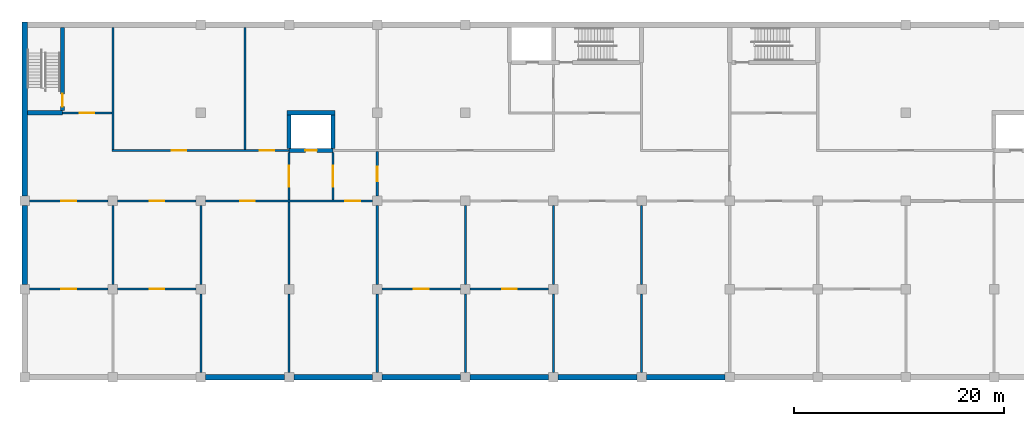
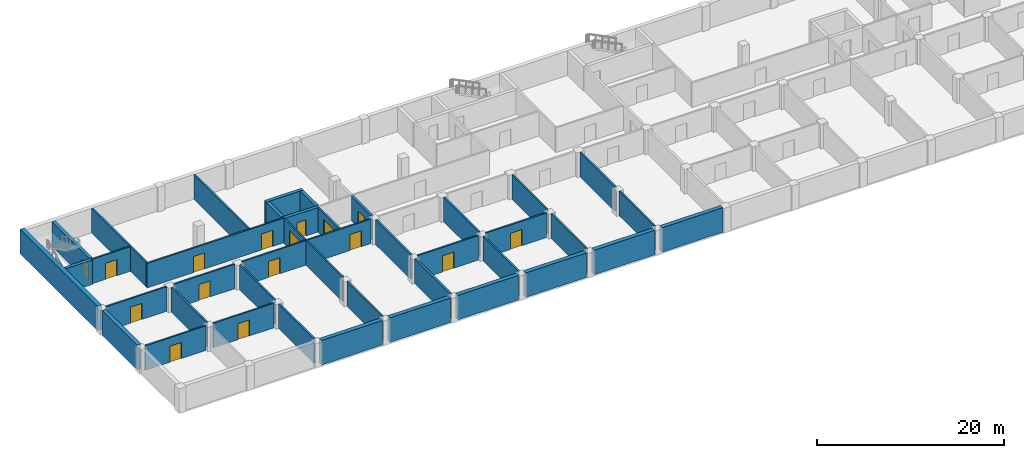
# One storey, part 2 of 12: 41 walls, 16 doors, 16 openings.
"""IFC4 building model written with IfcOpenShell, lengths in metres."""

from ifc_helpers import new_model, si_unit, direction, frame, frame_2d, origin, place, context, subcontext, project, spatial, rectangle, extrude, material, layer, layer_set, type_object, element, fill, save


model = new_model("IFC4")

# Units and contexts
model_context = context("Model", 3, precision=1e-05, world=origin(), true_north=direction((0.0, 1.0)))
body_context = subcontext(model_context, "Body", "Model", "MODEL_VIEW")
ifc_project = project(units=[si_unit("LENGTHUNIT", "METRE"), si_unit("AREAUNIT", "SQUARE_METRE"), si_unit("VOLUMEUNIT", "CUBIC_METRE"), si_unit("PLANEANGLEUNIT", "RADIAN"), si_unit("MASSUNIT", "GRAM", prefix="KILO")], contexts=[model_context])

# Site, building, storey
site_placement = place(None, origin())
site = spatial("IfcSite", under=ifc_project, at=site_placement, CompositionType="ELEMENT")
building_placement = place(site_placement, origin())
building = spatial("IfcBuilding", under=site, at=building_placement, Name="Yavir Park General Hospital", CompositionType="ELEMENT")
storey_placement = place(building_placement, frame((0.0, 0.0, -11.39990234375)))
storey = spatial("IfcBuildingStorey", under=building, at=storey_placement, Name="B3", CompositionType="ELEMENT", Elevation=-11.39990234375)

# Walls
ifc_material_1 = material(Name="Concrete C30/37", Category="concrete")
ifc_layer_1 = layer(ifc_material_1, 0.25)
ifc_layer_set_1 = layer_set([ifc_layer_1], Name="Concrete C30/37")
wall_type_1 = type_object("IfcWallType", Name="Compartment fire wall 250, REI 150", PredefinedType="SOLIDWALL", material=ifc_layer_set_1)
for number, where, z_axis, x_axis, name in (
    (1, (33.60009765625, 0.449951171875, 0.0), (0.0, 0.0, 1.0), (0.0, 1.0, 0.0), "FW25 B3-068"),
    (2, (33.60009765625, 8.85009765625, 0.0), (0.0, 0.0, 1.0), (0.0, 1.0, 0.0), "FW25 B3-069"),
):
    element("IfcWall", number, at=place(storey_placement, frame(where, z_axis=z_axis, x_axis=x_axis)), inside=storey, type_object=wall_type_1, Name=name, PredefinedType="SOLIDWALL", context=body_context, shape_type="SweptSolid", body=[
        extrude(rectangle(XDim=7.5, YDim=0.25, at=frame_2d((3.75, 0.0))), origin(), (0.0, 0.0, 1.0), 3.199951171875),
    ])

# Wall, opening, door
wall_1_placement = place(storey_placement, frame((33.60009765625, 17.25, 0.0), z_axis=(0.0, 0.0, 1.0), x_axis=(0.0, 1.0, 0.0)))
wall_1 = element("IfcWall", 3, at=wall_1_placement, inside=storey, type_object=wall_type_1, Name="FW25 B3-070", PredefinedType="SOLIDWALL", context=body_context, shape_type="SweptSolid", body=[
    extrude(rectangle(XDim=4.25, YDim=0.25, at=frame_2d((2.125, 0.0))), origin(), (0.0, 0.0, 1.0), 3.199951171875),
])
opening_1_placement = place(wall_1_placement, frame((1.425048828125, 0.0, 0.0)))
opening_1 = element("IfcOpeningElement", 4, at=opening_1_placement, cuts=wall_1, Name="Opening B3.D059", PredefinedType="OPENING", context=body_context, shape_type="SweptSolid", body=[
    extrude(rectangle(XDim=1.39990234375, YDim=2.10009765625, at=frame_2d((0.699951171875, 1.050048828125))), frame((0.0, 0.135009765625, 0.0), z_axis=(0.0, -1.0, 0.0), x_axis=(1.0, 0.0, 0.0)), (0.0, 0.0, 1.0), 0.27001953125),
])
ifc_material_2 = material(Name="Steel frame, fire-resisting leaves with vision panels", Category="steel")
door_type_1 = type_object("IfcDoorType", Name="Double fire door with vision panels 1400 x 2100, EI 60", OperationType="DOUBLE_DOOR_SINGLE_SWING", PredefinedType="DOOR", material=ifc_material_2)
door_1_placement = place(opening_1_placement, origin())
door_1 = element("IfcDoor", 5, at=door_1_placement, inside=storey, type_object=door_type_1, Name="B3.D059", OperationType="SINGLE_SWING_LEFT", OverallHeight=2.10009765625, OverallWidth=1.39990234375, PredefinedType="DOOR", context=body_context, shape_type="SweptSolid", body=[
    extrude(rectangle(XDim=1.39990234375, YDim=2.10009765625, at=frame_2d((0.699951171875, 1.050048828125))), frame((0.0, 0.030029296875, 0.0), z_axis=(0.0, -1.0, 0.0), x_axis=(1.0, 0.0, 0.0)), (0.0, 0.0, 1.0), 0.06005859375),
])
fill(opening_1, door_1)

ifc_material_3 = material(Name="Double gypsum board fire partition on steel studs", Category="steel")
ifc_layer_2 = layer(ifc_material_3, 0.199951171875)
ifc_layer_set_2 = layer_set([ifc_layer_2], Name="Double gypsum board fire partition on steel studs")
wall_type_2 = type_object("IfcWallType", Name="Fire-rated partition 200, EI 60", PredefinedType="PARTITIONING", material=ifc_layer_set_2)
wall_2_placement = place(storey_placement, frame((0.449951171875, 8.39990234375, 0.0), z_axis=(0.0, 0.0, 1.0), x_axis=(1.0, 0.0, 0.0)))
wall_2 = element("IfcWall", 6, at=wall_2_placement, inside=storey, type_object=wall_type_2, Name="FP20 B3-001", PredefinedType="PARTITIONING", context=body_context, shape_type="SweptSolid", body=[
    extrude(rectangle(XDim=7.5, YDim=0.199951171875, at=frame_2d((3.75, 0.0))), origin(), (0.0, 0.0, 1.0), 3.199951171875),
])
opening_2_placement = place(wall_2_placement, frame((3.050048828125, 0.0, 0.0)))
opening_2 = element("IfcOpeningElement", 7, at=opening_2_placement, cuts=wall_2, Name="Opening B3.D001", PredefinedType="OPENING", context=body_context, shape_type="SweptSolid", body=[
    extrude(rectangle(XDim=1.39990234375, YDim=2.10009765625, at=frame_2d((0.699951171875, 1.050048828125))), frame((0.0, 0.10986328125, 0.0), z_axis=(0.0, -1.0, 0.0), x_axis=(1.0, 0.0, 0.0)), (0.0, 0.0, 1.0), 0.219970703125),
])
ifc_material_4 = material(Name="Steel frame, fire-resisting timber leaves", Category="steel")
door_type_2 = type_object("IfcDoorType", Name="Double fire door 1400 x 2100, EI 60", OperationType="DOUBLE_DOOR_SINGLE_SWING", PredefinedType="DOOR", material=ifc_material_4)
door_2_placement = place(opening_2_placement, origin())
door_2 = element("IfcDoor", 8, at=door_2_placement, inside=storey, type_object=door_type_2, Name="B3.D001", OperationType="SINGLE_SWING_LEFT", OverallHeight=2.10009765625, OverallWidth=1.39990234375, PredefinedType="DOOR", context=body_context, shape_type="SweptSolid", body=[
    extrude(rectangle(XDim=1.39990234375, YDim=2.10009765625, at=frame_2d((0.699951171875, 1.050048828125))), frame((0.0, 0.02490234375, 0.0), z_axis=(0.0, -1.0, 0.0), x_axis=(1.0, 0.0, 0.0)), (0.0, 0.0, 1.0), 0.050048828125),
])
fill(opening_2, door_2)

wall_3_placement = place(storey_placement, frame((8.85009765625, 8.39990234375, 0.0), z_axis=(0.0, 0.0, 1.0), x_axis=(1.0, 0.0, 0.0)))
wall_3 = element("IfcWall", 9, at=wall_3_placement, inside=storey, type_object=wall_type_2, Name="FP20 B3-002", PredefinedType="PARTITIONING", context=body_context, shape_type="SweptSolid", body=[
    extrude(rectangle(XDim=7.5, YDim=0.199951171875, at=frame_2d((3.75, 0.0))), origin(), (0.0, 0.0, 1.0), 3.199951171875),
])
opening_3_placement = place(wall_3_placement, frame((3.050048828125, 0.0, 0.0)))
opening_3 = element("IfcOpeningElement", 10, at=opening_3_placement, cuts=wall_3, Name="Opening B3.D002", PredefinedType="OPENING", context=body_context, shape_type="SweptSolid", body=[
    extrude(rectangle(XDim=1.39990234375, YDim=2.10009765625, at=frame_2d((0.699951171875, 1.050048828125))), frame((0.0, 0.10986328125, 0.0), z_axis=(0.0, -1.0, 0.0), x_axis=(1.0, 0.0, 0.0)), (0.0, 0.0, 1.0), 0.219970703125),
])
door_3_placement = place(opening_3_placement, origin())
door_3 = element("IfcDoor", 11, at=door_3_placement, inside=storey, type_object=door_type_2, Name="B3.D002", OperationType="SINGLE_SWING_LEFT", OverallHeight=2.10009765625, OverallWidth=1.39990234375, PredefinedType="DOOR", context=body_context, shape_type="SweptSolid", body=[
    extrude(rectangle(XDim=1.39990234375, YDim=2.10009765625, at=frame_2d((0.699951171875, 1.050048828125))), frame((0.0, 0.02490234375, 0.0), z_axis=(0.0, -1.0, 0.0), x_axis=(1.0, 0.0, 0.0)), (0.0, 0.0, 1.0), 0.050048828125),
])
fill(opening_3, door_3)

wall_4_placement = place(storey_placement, frame((34.050048828125, 8.39990234375, 0.0), z_axis=(0.0, 0.0, 1.0), x_axis=(1.0, 0.0, 0.0)))
wall_4 = element("IfcWall", 12, at=wall_4_placement, inside=storey, type_object=wall_type_2, Name="FP20 B3-003", PredefinedType="PARTITIONING", context=body_context, shape_type="SweptSolid", body=[
    extrude(rectangle(XDim=7.5, YDim=0.199951171875, at=frame_2d((3.75, 0.0))), origin(), (0.0, 0.0, 1.0), 3.199951171875),
])
opening_4_placement = place(wall_4_placement, frame((3.050048828125, 0.0, 0.0)))
opening_4 = element("IfcOpeningElement", 13, at=opening_4_placement, cuts=wall_4, Name="Opening B3.D003", PredefinedType="OPENING", context=body_context, shape_type="SweptSolid", body=[
    extrude(rectangle(XDim=1.39990234375, YDim=2.10009765625, at=frame_2d((0.699951171875, 1.050048828125))), frame((0.0, 0.10986328125, 0.0), z_axis=(0.0, -1.0, 0.0), x_axis=(1.0, 0.0, 0.0)), (0.0, 0.0, 1.0), 0.219970703125),
])
door_4_placement = place(opening_4_placement, origin())
door_4 = element("IfcDoor", 14, at=door_4_placement, inside=storey, type_object=door_type_2, Name="B3.D003", OperationType="SINGLE_SWING_LEFT", OverallHeight=2.10009765625, OverallWidth=1.39990234375, PredefinedType="DOOR", context=body_context, shape_type="SweptSolid", body=[
    extrude(rectangle(XDim=1.39990234375, YDim=2.10009765625, at=frame_2d((0.699951171875, 1.050048828125))), frame((0.0, 0.02490234375, 0.0), z_axis=(0.0, -1.0, 0.0), x_axis=(1.0, 0.0, 0.0)), (0.0, 0.0, 1.0), 0.050048828125),
])
fill(opening_4, door_4)

wall_5_placement = place(storey_placement, frame((42.449951171875, 8.39990234375, 0.0), z_axis=(0.0, 0.0, 1.0), x_axis=(1.0, 0.0, 0.0)))
wall_5 = element("IfcWall", 15, at=wall_5_placement, inside=storey, type_object=wall_type_2, Name="FP20 B3-004", PredefinedType="PARTITIONING", context=body_context, shape_type="SweptSolid", body=[
    extrude(rectangle(XDim=7.5, YDim=0.199951171875, at=frame_2d((3.75, 0.0))), origin(), (0.0, 0.0, 1.0), 3.199951171875),
])
opening_5_placement = place(wall_5_placement, frame((3.050048828125, 0.0, 0.0)))
opening_5 = element("IfcOpeningElement", 16, at=opening_5_placement, cuts=wall_5, Name="Opening B3.D004", PredefinedType="OPENING", context=body_context, shape_type="SweptSolid", body=[
    extrude(rectangle(XDim=1.39990234375, YDim=2.10009765625, at=frame_2d((0.699951171875, 1.050048828125))), frame((0.0, 0.10986328125, 0.0), z_axis=(0.0, -1.0, 0.0), x_axis=(1.0, 0.0, 0.0)), (0.0, 0.0, 1.0), 0.219970703125),
])
door_5_placement = place(opening_5_placement, origin())
door_5 = element("IfcDoor", 17, at=door_5_placement, inside=storey, type_object=door_type_2, Name="B3.D004", OperationType="SINGLE_SWING_LEFT", OverallHeight=2.10009765625, OverallWidth=1.39990234375, PredefinedType="DOOR", context=body_context, shape_type="SweptSolid", body=[
    extrude(rectangle(XDim=1.39990234375, YDim=2.10009765625, at=frame_2d((0.699951171875, 1.050048828125))), frame((0.0, 0.02490234375, 0.0), z_axis=(0.0, -1.0, 0.0), x_axis=(1.0, 0.0, 0.0)), (0.0, 0.0, 1.0), 0.050048828125),
])
fill(opening_5, door_5)

wall_6_placement = place(storey_placement, frame((0.449951171875, 16.800048828125, 0.0), z_axis=(0.0, 0.0, 1.0), x_axis=(1.0, 0.0, 0.0)))
wall_6 = element("IfcWall", 18, at=wall_6_placement, inside=storey, type_object=wall_type_2, Name="FP20 B3-011", PredefinedType="PARTITIONING", context=body_context, shape_type="SweptSolid", body=[
    extrude(rectangle(XDim=7.5, YDim=0.199951171875, at=frame_2d((3.75, 0.0))), origin(), (0.0, 0.0, 1.0), 3.199951171875),
])
opening_6_placement = place(wall_6_placement, frame((3.050048828125, 0.0, 0.0)))
opening_6 = element("IfcOpeningElement", 19, at=opening_6_placement, cuts=wall_6, Name="Opening B3.D011", PredefinedType="OPENING", context=body_context, shape_type="SweptSolid", body=[
    extrude(rectangle(XDim=1.39990234375, YDim=2.10009765625, at=frame_2d((0.699951171875, 1.050048828125))), frame((0.0, 0.10986328125, 0.0), z_axis=(0.0, -1.0, 0.0), x_axis=(1.0, 0.0, 0.0)), (0.0, 0.0, 1.0), 0.219970703125),
])
door_6_placement = place(opening_6_placement, origin())
door_6 = element("IfcDoor", 20, at=door_6_placement, inside=storey, type_object=door_type_2, Name="B3.D011", OperationType="SINGLE_SWING_LEFT", OverallHeight=2.10009765625, OverallWidth=1.39990234375, PredefinedType="DOOR", context=body_context, shape_type="SweptSolid", body=[
    extrude(rectangle(XDim=1.39990234375, YDim=2.10009765625, at=frame_2d((0.699951171875, 1.050048828125))), frame((0.0, 0.02490234375, 0.0), z_axis=(0.0, -1.0, 0.0), x_axis=(1.0, 0.0, 0.0)), (0.0, 0.0, 1.0), 0.050048828125),
])
fill(opening_6, door_6)

wall_7_placement = place(storey_placement, frame((8.85009765625, 16.800048828125, 0.0), z_axis=(0.0, 0.0, 1.0), x_axis=(1.0, 0.0, 0.0)))
wall_7 = element("IfcWall", 21, at=wall_7_placement, inside=storey, type_object=wall_type_2, Name="FP20 B3-012", PredefinedType="PARTITIONING", context=body_context, shape_type="SweptSolid", body=[
    extrude(rectangle(XDim=7.5, YDim=0.199951171875, at=frame_2d((3.75, 0.0))), origin(), (0.0, 0.0, 1.0), 3.199951171875),
])
opening_7_placement = place(wall_7_placement, frame((3.050048828125, 0.0, 0.0)))
opening_7 = element("IfcOpeningElement", 22, at=opening_7_placement, cuts=wall_7, Name="Opening B3.D012", PredefinedType="OPENING", context=body_context, shape_type="SweptSolid", body=[
    extrude(rectangle(XDim=1.39990234375, YDim=2.10009765625, at=frame_2d((0.699951171875, 1.050048828125))), frame((0.0, 0.10986328125, 0.0), z_axis=(0.0, -1.0, 0.0), x_axis=(1.0, 0.0, 0.0)), (0.0, 0.0, 1.0), 0.219970703125),
])
door_7_placement = place(opening_7_placement, origin())
door_7 = element("IfcDoor", 23, at=door_7_placement, inside=storey, type_object=door_type_2, Name="B3.D012", OperationType="SINGLE_SWING_LEFT", OverallHeight=2.10009765625, OverallWidth=1.39990234375, PredefinedType="DOOR", context=body_context, shape_type="SweptSolid", body=[
    extrude(rectangle(XDim=1.39990234375, YDim=2.10009765625, at=frame_2d((0.699951171875, 1.050048828125))), frame((0.0, 0.02490234375, 0.0), z_axis=(0.0, -1.0, 0.0), x_axis=(1.0, 0.0, 0.0)), (0.0, 0.0, 1.0), 0.050048828125),
])
fill(opening_7, door_7)

# Wall, openings, doors
wall_8_placement = place(storey_placement, frame((17.25, 16.800048828125, 0.0), z_axis=(0.0, 0.0, 1.0), x_axis=(1.0, 0.0, 0.0)))
wall_8 = element("IfcWall", 24, at=wall_8_placement, inside=storey, type_object=wall_type_2, Name="FP20 B3-013", PredefinedType="PARTITIONING", context=body_context, shape_type="SweptSolid", body=[
    extrude(rectangle(XDim=15.89990234375, YDim=0.199951171875, at=frame_2d((7.949951171875, 0.0))), origin(), (0.0, 0.0, 1.0), 3.199951171875),
])
opening_8_placement = place(wall_8_placement, frame((3.27490234375, 0.0, 0.0)))
opening_8 = element("IfcOpeningElement", 25, at=opening_8_placement, cuts=wall_8, Name="Opening B3.D013", PredefinedType="OPENING", context=body_context, shape_type="SweptSolid", body=[
    extrude(rectangle(XDim=1.39990234375, YDim=2.10009765625, at=frame_2d((0.699951171875, 1.050048828125))), frame((0.0, 0.10986328125, 0.0), z_axis=(0.0, -1.0, 0.0), x_axis=(1.0, 0.0, 0.0)), (0.0, 0.0, 1.0), 0.219970703125),
])
opening_9_placement = place(wall_8_placement, frame((13.324951171875, 0.0, 0.0)))
opening_9 = element("IfcOpeningElement", 26, at=opening_9_placement, cuts=wall_8, Name="Opening B3.D014", PredefinedType="OPENING", context=body_context, shape_type="SweptSolid", body=[
    extrude(rectangle(XDim=1.39990234375, YDim=2.10009765625, at=frame_2d((0.699951171875, 1.050048828125))), frame((0.0, 0.10986328125, 0.0), z_axis=(0.0, -1.0, 0.0), x_axis=(1.0, 0.0, 0.0)), (0.0, 0.0, 1.0), 0.219970703125),
])
door_8_placement = place(opening_8_placement, origin())
door_8 = element("IfcDoor", 27, at=door_8_placement, inside=storey, type_object=door_type_2, Name="B3.D013", OperationType="SINGLE_SWING_RIGHT", OverallHeight=2.10009765625, OverallWidth=1.39990234375, PredefinedType="DOOR", context=body_context, shape_type="SweptSolid", body=[
    extrude(rectangle(XDim=1.39990234375, YDim=2.10009765625, at=frame_2d((0.699951171875, 1.050048828125))), frame((0.0, 0.02490234375, 0.0), z_axis=(0.0, -1.0, 0.0), x_axis=(1.0, 0.0, 0.0)), (0.0, 0.0, 1.0), 0.050048828125),
])
fill(opening_8, door_8)
door_9_placement = place(opening_9_placement, origin())
door_9 = element("IfcDoor", 28, at=door_9_placement, inside=storey, type_object=door_type_2, Name="B3.D014", OperationType="SINGLE_SWING_RIGHT", OverallHeight=2.10009765625, OverallWidth=1.39990234375, PredefinedType="DOOR", context=body_context, shape_type="SweptSolid", body=[
    extrude(rectangle(XDim=1.39990234375, YDim=2.10009765625, at=frame_2d((0.699951171875, 1.050048828125))), frame((0.0, 0.02490234375, 0.0), z_axis=(0.0, -1.0, 0.0), x_axis=(1.0, 0.0, 0.0)), (0.0, 0.0, 1.0), 0.050048828125),
])
fill(opening_9, door_9)

wall_9_placement = place(storey_placement, frame((8.300048828125, 21.60009765625, 0.0), z_axis=(0.0, 0.0, 1.0), x_axis=(1.0, 0.0, 0.0)))
wall_9 = element("IfcWall", 29, at=wall_9_placement, inside=storey, type_object=wall_type_2, Name="FP20 B3-027", PredefinedType="PARTITIONING", context=body_context, shape_type="SweptSolid", body=[
    extrude(rectangle(XDim=16.89990234375, YDim=0.199951171875, at=frame_2d((8.449951171875, 0.0))), origin(), (0.0, 0.0, 1.0), 3.199951171875),
])
opening_10_placement = place(wall_9_placement, frame((5.699951171875, 0.0, 0.0)))
opening_10 = element("IfcOpeningElement", 30, at=opening_10_placement, cuts=wall_9, Name="Opening B3.D030", PredefinedType="OPENING", context=body_context, shape_type="SweptSolid", body=[
    extrude(rectangle(XDim=1.39990234375, YDim=2.10009765625, at=frame_2d((0.699951171875, 1.050048828125))), frame((0.0, 0.10986328125, 0.0), z_axis=(0.0, -1.0, 0.0), x_axis=(1.0, 0.0, 0.0)), (0.0, 0.0, 1.0), 0.219970703125),
])
opening_11_placement = place(wall_9_placement, frame((14.10009765625, 0.0, 0.0)))
opening_11 = element("IfcOpeningElement", 31, at=opening_11_placement, cuts=wall_9, Name="Opening B3.D031", PredefinedType="OPENING", context=body_context, shape_type="SweptSolid", body=[
    extrude(rectangle(XDim=1.39990234375, YDim=2.10009765625, at=frame_2d((0.699951171875, 1.050048828125))), frame((0.0, 0.10986328125, 0.0), z_axis=(0.0, -1.0, 0.0), x_axis=(1.0, 0.0, 0.0)), (0.0, 0.0, 1.0), 0.219970703125),
])
door_10_placement = place(opening_10_placement, origin())
door_10 = element("IfcDoor", 32, at=door_10_placement, inside=storey, type_object=door_type_2, Name="B3.D030", OperationType="SINGLE_SWING_RIGHT", OverallHeight=2.10009765625, OverallWidth=1.39990234375, PredefinedType="DOOR", context=body_context, shape_type="SweptSolid", body=[
    extrude(rectangle(XDim=1.39990234375, YDim=2.10009765625, at=frame_2d((0.699951171875, 1.050048828125))), frame((0.0, 0.02490234375, 0.0), z_axis=(0.0, -1.0, 0.0), x_axis=(1.0, 0.0, 0.0)), (0.0, 0.0, 1.0), 0.050048828125),
])
fill(opening_10, door_10)
door_11_placement = place(opening_11_placement, origin())
door_11 = element("IfcDoor", 33, at=door_11_placement, inside=storey, type_object=door_type_2, Name="B3.D031", OperationType="SINGLE_SWING_RIGHT", OverallHeight=2.10009765625, OverallWidth=1.39990234375, PredefinedType="DOOR", context=body_context, shape_type="SweptSolid", body=[
    extrude(rectangle(XDim=1.39990234375, YDim=2.10009765625, at=frame_2d((0.699951171875, 1.050048828125))), frame((0.0, 0.02490234375, 0.0), z_axis=(0.0, -1.0, 0.0), x_axis=(1.0, 0.0, 0.0)), (0.0, 0.0, 1.0), 0.050048828125),
])
fill(opening_11, door_11)

# Wall, opening, door
wall_10_placement = place(storey_placement, frame((3.60009765625, 25.199951171875, 0.0), z_axis=(0.0, 0.0, 1.0), x_axis=(1.0, 0.0, 0.0)))
wall_10 = element("IfcWall", 34, at=wall_10_placement, inside=storey, type_object=wall_type_2, Name="FP20 B3-039", PredefinedType="PARTITIONING", context=body_context, shape_type="SweptSolid", body=[
    extrude(rectangle(XDim=4.699951171875, YDim=0.199951171875, at=frame_2d((2.35009765625, 0.0))), origin(), (0.0, 0.0, 1.0), 3.199951171875),
])
opening_12_placement = place(wall_10_placement, frame((1.64990234375, 0.0, 0.0)))
opening_12 = element("IfcOpeningElement", 35, at=opening_12_placement, cuts=wall_10, Name="Opening B3.D043", PredefinedType="OPENING", context=body_context, shape_type="SweptSolid", body=[
    extrude(rectangle(XDim=1.39990234375, YDim=2.10009765625, at=frame_2d((0.699951171875, 1.050048828125))), frame((0.0, 0.10986328125, 0.0), z_axis=(0.0, -1.0, 0.0), x_axis=(1.0, 0.0, 0.0)), (0.0, 0.0, 1.0), 0.219970703125),
])
door_12_placement = place(opening_12_placement, origin())
door_12 = element("IfcDoor", 36, at=door_12_placement, inside=storey, type_object=door_type_1, Name="B3.D043", OperationType="SINGLE_SWING_LEFT", OverallHeight=2.10009765625, OverallWidth=1.39990234375, PredefinedType="DOOR", context=body_context, shape_type="SweptSolid", body=[
    extrude(rectangle(XDim=1.39990234375, YDim=2.10009765625, at=frame_2d((0.699951171875, 1.050048828125))), frame((0.0, 0.030029296875, 0.0), z_axis=(0.0, -1.0, 0.0), x_axis=(1.0, 0.0, 0.0)), (0.0, 0.0, 1.0), 0.06005859375),
])
fill(opening_12, door_12)

# Walls
wall_11_placement = place(storey_placement, frame((8.39990234375, 8.85009765625, 0.0), z_axis=(0.0, 0.0, 1.0), x_axis=(0.0, 1.0, 0.0)))
element("IfcWall", 37, at=wall_11_placement, inside=storey, type_object=wall_type_2, Name="FP20 B3-057", PredefinedType="PARTITIONING", context=body_context, shape_type="SweptSolid", body=[
    extrude(rectangle(XDim=7.5, YDim=0.199951171875, at=frame_2d((3.75, 0.0))), origin(), (0.0, 0.0, 1.0), 3.199951171875),
])
wall_12_placement = place(storey_placement, frame((8.39990234375, 21.699951171875, 0.0), z_axis=(0.0, 0.0, 1.0), x_axis=(0.0, 1.0, 0.0)))
element("IfcWall", 38, at=wall_12_placement, inside=storey, type_object=wall_type_2, Name="FP20 B3-058", PredefinedType="PARTITIONING", context=body_context, shape_type="SweptSolid", body=[
    extrude(rectangle(XDim=11.650146484375, YDim=0.199951171875, at=frame_2d((5.8251953125, 0.0))), origin(), (0.0, 0.0, 1.0), 3.199951171875),
])
for number, where, z_axis, x_axis, name in (
    (39, (16.800048828125, 0.449951171875, 0.0), (0.0, 0.0, 1.0), (0.0, 1.0, 0.0), "FP20 B3-059"),
    (40, (16.800048828125, 8.85009765625, 0.0), (0.0, 0.0, 1.0), (0.0, 1.0, 0.0), "FP20 B3-060"),
):
    element("IfcWall", number, at=place(storey_placement, frame(where, z_axis=z_axis, x_axis=x_axis)), inside=storey, type_object=wall_type_2, Name=name, PredefinedType="PARTITIONING", context=body_context, shape_type="SweptSolid", body=[
        extrude(rectangle(XDim=7.5, YDim=0.199951171875, at=frame_2d((3.75, 0.0))), origin(), (0.0, 0.0, 1.0), 3.199951171875),
    ])
wall_13_placement = place(storey_placement, frame((21.0, 21.699951171875, 0.0), z_axis=(0.0, 0.0, 1.0), x_axis=(0.0, 1.0, 0.0)))
element("IfcWall", 41, at=wall_13_placement, inside=storey, type_object=wall_type_2, Name="FP20 B3-061", PredefinedType="PARTITIONING", context=body_context, shape_type="SweptSolid", body=[
    extrude(rectangle(XDim=11.650146484375, YDim=0.199951171875, at=frame_2d((5.8251953125, 0.0))), origin(), (0.0, 0.0, 1.0), 3.199951171875),
])
wall_14_placement = place(storey_placement, frame((25.199951171875, 0.449951171875, 0.0), z_axis=(0.0, 0.0, 1.0), x_axis=(0.0, 1.0, 0.0)))
element("IfcWall", 42, at=wall_14_placement, inside=storey, type_object=wall_type_2, Name="FP20 B3-062", PredefinedType="PARTITIONING", context=body_context, shape_type="SweptSolid", body=[
    extrude(rectangle(XDim=7.5, YDim=0.199951171875, at=frame_2d((3.75, 0.0))), origin(), (0.0, 0.0, 1.0), 3.199951171875),
])
wall_15_placement = place(storey_placement, frame((25.199951171875, 8.85009765625, 0.0), z_axis=(0.0, 0.0, 1.0), x_axis=(0.0, 1.0, 0.0)))
element("IfcWall", 43, at=wall_15_placement, inside=storey, type_object=wall_type_2, Name="FP20 B3-063", PredefinedType="PARTITIONING", context=body_context, shape_type="SweptSolid", body=[
    extrude(rectangle(XDim=7.849853515625, YDim=0.199951171875, at=frame_2d((3.9248046875, 0.0))), origin(), (0.0, 0.0, 1.0), 3.199951171875),
])

# Wall, opening, door
wall_16_placement = place(storey_placement, frame((25.199951171875, 16.89990234375, 0.0), z_axis=(0.0, 0.0, 1.0), x_axis=(0.0, 1.0, 0.0)))
wall_16 = element("IfcWall", 44, at=wall_16_placement, inside=storey, type_object=wall_type_2, Name="FP20 B3-064", PredefinedType="PARTITIONING", context=body_context, shape_type="SweptSolid", body=[
    extrude(rectangle(XDim=4.5, YDim=0.199951171875, at=frame_2d((2.25, 0.0))), origin(), (0.0, 0.0, 1.0), 3.199951171875),
])
opening_13_placement = place(wall_16_placement, frame((1.25, 0.0, 0.0)))
opening_13 = element("IfcOpeningElement", 45, at=opening_13_placement, cuts=wall_16, Name="Opening B3.D057", PredefinedType="OPENING", context=body_context, shape_type="SweptSolid", body=[
    extrude(rectangle(XDim=2.0, YDim=2.39990234375, at=frame_2d((1.0, 1.199951171875))), frame((0.0, 0.10986328125, 0.0), z_axis=(0.0, -1.0, 0.0), x_axis=(1.0, 0.0, 0.0)), (0.0, 0.0, 1.0), 0.219970703125),
])
ifc_material_5 = material(Name="Steel frame, fire-resisting leaves with vision panels", Category="steel")
door_type_3 = type_object("IfcDoorType", Name="Double fire door with vision panels 2000 x 2400, EI 60", OperationType="DOUBLE_DOOR_SINGLE_SWING", PredefinedType="DOOR", material=ifc_material_5)
door_13_placement = place(opening_13_placement, origin())
door_13 = element("IfcDoor", 46, at=door_13_placement, inside=storey, type_object=door_type_3, Name="B3.D057", OperationType="SINGLE_SWING_RIGHT", OverallHeight=2.39990234375, OverallWidth=2.0, PredefinedType="DOOR", context=body_context, shape_type="SweptSolid", body=[
    extrude(rectangle(XDim=2.0, YDim=2.39990234375, at=frame_2d((1.0, 1.199951171875))), frame((0.0, 0.030029296875, 0.0), z_axis=(0.0, -1.0, 0.0), x_axis=(1.0, 0.0, 0.0)), (0.0, 0.0, 1.0), 0.06005859375),
])
fill(opening_13, door_13)

wall_17_placement = place(storey_placement, frame((29.39990234375, 16.89990234375, 0.0), z_axis=(0.0, 0.0, 1.0), x_axis=(0.0, 1.0, 0.0)))
wall_17 = element("IfcWall", 47, at=wall_17_placement, inside=storey, type_object=wall_type_2, Name="FP20 B3-066", PredefinedType="PARTITIONING", context=body_context, shape_type="SweptSolid", body=[
    extrude(rectangle(XDim=4.5, YDim=0.199951171875, at=frame_2d((2.25, 0.0))), origin(), (0.0, 0.0, 1.0), 3.199951171875),
])
opening_14_placement = place(wall_17_placement, frame((1.25, 0.0, 0.0)))
opening_14 = element("IfcOpeningElement", 48, at=opening_14_placement, cuts=wall_17, Name="Opening B3.D058", PredefinedType="OPENING", context=body_context, shape_type="SweptSolid", body=[
    extrude(rectangle(XDim=2.0, YDim=2.39990234375, at=frame_2d((1.0, 1.199951171875))), frame((0.0, 0.10986328125, 0.0), z_axis=(0.0, -1.0, 0.0), x_axis=(1.0, 0.0, 0.0)), (0.0, 0.0, 1.0), 0.219970703125),
])
door_14_placement = place(opening_14_placement, origin())
door_14 = element("IfcDoor", 49, at=door_14_placement, inside=storey, type_object=door_type_3, Name="B3.D058", OperationType="SINGLE_SWING_LEFT", OverallHeight=2.39990234375, OverallWidth=2.0, PredefinedType="DOOR", context=body_context, shape_type="SweptSolid", body=[
    extrude(rectangle(XDim=2.0, YDim=2.39990234375, at=frame_2d((1.0, 1.199951171875))), frame((0.0, 0.030029296875, 0.0), z_axis=(0.0, -1.0, 0.0), x_axis=(1.0, 0.0, 0.0)), (0.0, 0.0, 1.0), 0.06005859375),
])
fill(opening_14, door_14)

# Walls
for number, where, z_axis, x_axis, name in (
    (50, (42.0, 0.449951171875, 0.0), (0.0, 0.0, 1.0), (0.0, 1.0, 0.0), "FP20 B3-073"),
    (51, (42.0, 8.85009765625, 0.0), (0.0, 0.0, 1.0), (0.0, 1.0, 0.0), "FP20 B3-074"),
    (52, (50.39990234375, 0.449951171875, 0.0), (0.0, 0.0, 1.0), (0.0, 1.0, 0.0), "FP20 B3-077"),
    (53, (50.39990234375, 8.85009765625, 0.0), (0.0, 0.0, 1.0), (0.0, 1.0, 0.0), "FP20 B3-078"),
    (54, (58.800048828125, 0.449951171875, 0.0), (0.0, 0.0, 1.0), (0.0, 1.0, 0.0), "FP20 B3-082"),
    (55, (58.800048828125, 8.85009765625, 0.0), (0.0, 0.0, 1.0), (0.0, 1.0, 0.0), "FP20 B3-083"),
):
    element("IfcWall", number, at=place(storey_placement, frame(where, z_axis=z_axis, x_axis=x_axis)), inside=storey, type_object=wall_type_2, Name=name, PredefinedType="PARTITIONING", context=body_context, shape_type="SweptSolid", body=[
        extrude(rectangle(XDim=7.5, YDim=0.199951171875, at=frame_2d((3.75, 0.0))), origin(), (0.0, 0.0, 1.0), 3.199951171875),
    ])
ifc_material_6 = material(Name="Concrete C35/45", Category="concrete")
ifc_layer_3 = layer(ifc_material_6, 0.5)
ifc_layer_set_3 = layer_set([ifc_layer_3], Name="Concrete C35/45")
wall_type_3 = type_object("IfcWallType", Name="RC WALL RETAINING 500", PredefinedType="SOLIDWALL", material=ifc_layer_set_3)
for number, where, z_axis, x_axis, name in (
    (56, (17.25, 0.0, 0.0), (0.0, 0.0, 1.0), (1.0, 0.0, 0.0), "W:RET:B3:S2"),
    (57, (25.64990234375, 0.0, 0.0), (0.0, 0.0, 1.0), (1.0, 0.0, 0.0), "W:RET:B3:S3"),
    (58, (34.050048828125, 0.0, 0.0), (0.0, 0.0, 1.0), (1.0, 0.0, 0.0), "W:RET:B3:S4"),
    (59, (42.449951171875, 0.0, 0.0), (0.0, 0.0, 1.0), (1.0, 0.0, 0.0), "W:RET:B3:S5"),
    (60, (50.85009765625, 0.0, 0.0), (0.0, 0.0, 1.0), (1.0, 0.0, 0.0), "W:RET:B3:S6"),
    (61, (59.25, 0.0, 0.0), (0.0, 0.0, 1.0), (1.0, 0.0, 0.0), "W:RET:B3:S7"),
    (62, (0.0, 8.85009765625, 0.0), (0.0, 0.0, 1.0), (0.0, 1.0, 0.0), "W:RET:B3:W31"),
):
    element("IfcWall", number, at=place(storey_placement, frame(where, z_axis=z_axis, x_axis=x_axis)), inside=storey, type_object=wall_type_3, Name=name, PredefinedType="SOLIDWALL", context=body_context, shape_type="SweptSolid", body=[
        extrude(rectangle(XDim=7.5, YDim=0.5, at=frame_2d((3.75, 0.0))), origin(), (0.0, 0.0, 1.0), 3.199951171875),
    ])
wall_18_placement = place(storey_placement, frame((0.0, 17.25, 0.0), z_axis=(0.0, 0.0, 1.0), x_axis=(0.0, 1.0, 0.0)))
element("IfcWall", 63, at=wall_18_placement, inside=storey, type_object=wall_type_3, Name="W:RET:B3:W32", PredefinedType="SOLIDWALL", context=body_context, shape_type="SweptSolid", body=[
    extrude(rectangle(XDim=16.60009765625, YDim=0.5, at=frame_2d((8.300048828125, 0.0))), origin(), (0.0, 0.0, 1.0), 3.199951171875),
])

# Wall, opening, door
ifc_material_7 = material(Name="Concrete C35/45", Category="concrete")
ifc_layer_4 = layer(ifc_material_7, 0.39990234375)
ifc_layer_set_4 = layer_set([ifc_layer_4], Name="Concrete C35/45")
wall_type_4 = type_object("IfcWallType", Name="Reinforced concrete core wall 400, REI 150", PredefinedType="SHEAR", material=ifc_layer_set_4)
wall_19_placement = place(storey_placement, frame((25.199951171875, 21.60009765625, 0.0), z_axis=(0.0, 0.0, 1.0), x_axis=(1.0, 0.0, 0.0)))
wall_19 = element("IfcWall", 64, at=wall_19_placement, inside=storey, type_object=wall_type_4, Name="CW40 B3-028", PredefinedType="SHEAR", context=body_context, shape_type="SweptSolid", body=[
    extrude(rectangle(XDim=4.199951171875, YDim=0.39990234375, at=frame_2d((2.10009765625, 0.0))), origin(), (0.0, 0.0, 1.0), 3.199951171875),
])
opening_15_placement = place(wall_19_placement, frame((1.550048828125, 0.0, 0.0)))
opening_15 = element("IfcOpeningElement", 65, at=opening_15_placement, cuts=wall_19, Name="Opening B3.D032", PredefinedType="OPENING", context=body_context, shape_type="SweptSolid", body=[
    extrude(rectangle(XDim=1.10009765625, YDim=2.10009765625, at=frame_2d((0.550048828125, 1.050048828125))), frame((0.0, 0.2099609375, 0.0), z_axis=(0.0, -1.0, 0.0), x_axis=(1.0, 0.0, 0.0)), (0.0, 0.0, 1.0), 0.419921875),
])
ifc_material_8 = material(Name="Stainless steel landing door panels", Category="steel")
door_type_4 = type_object("IfcDoorType", Name="Lift landing door 1100 x 2100, EI 60", OperationType="SLIDING_TO_LEFT", PredefinedType="DOOR", material=ifc_material_8)
door_15_placement = place(opening_15_placement, origin())
door_15 = element("IfcDoor", 66, at=door_15_placement, inside=storey, type_object=door_type_4, Name="B3.D032", OperationType="SLIDING_TO_LEFT", OverallHeight=2.10009765625, OverallWidth=1.10009765625, PredefinedType="DOOR", context=body_context, shape_type="SweptSolid", body=[
    extrude(rectangle(XDim=1.10009765625, YDim=2.10009765625, at=frame_2d((0.550048828125, 1.050048828125))), frame((0.0, 0.02490234375, 0.0), z_axis=(0.0, -1.0, 0.0), x_axis=(1.0, 0.0, 0.0)), (0.0, 0.0, 1.0), 0.050048828125),
])
fill(opening_15, door_15)

# Walls
wall_20_placement = place(storey_placement, frame((0.25, 25.199951171875, 0.0), z_axis=(0.0, 0.0, 1.0), x_axis=(1.0, 0.0, 0.0)))
element("IfcWall", 67, at=wall_20_placement, inside=storey, type_object=wall_type_4, Name="CW40 B3-038", PredefinedType="SHEAR", context=body_context, shape_type="SweptSolid", body=[
    extrude(rectangle(XDim=3.35009765625, YDim=0.39990234375, at=frame_2d((1.675048828125, 0.0))), origin(), (0.0, 0.0, 1.0), 3.199951171875),
])
wall_21_placement = place(storey_placement, frame((25.0, 25.199951171875, 0.0), z_axis=(0.0, 0.0, 1.0), x_axis=(1.0, 0.0, 0.0)))
element("IfcWall", 68, at=wall_21_placement, inside=storey, type_object=wall_type_4, Name="CW40 B3-040", PredefinedType="SHEAR", context=body_context, shape_type="SweptSolid", body=[
    extrude(rectangle(XDim=4.60009765625, YDim=0.39990234375, at=frame_2d((2.300048828125, 0.0))), origin(), (0.0, 0.0, 1.0), 3.199951171875),
])

# Wall, opening, door
wall_22_placement = place(storey_placement, frame((3.60009765625, 25.39990234375, 0.0), z_axis=(0.0, 0.0, 1.0), x_axis=(0.0, 1.0, 0.0)))
wall_22 = element("IfcWall", 69, at=wall_22_placement, inside=storey, type_object=wall_type_4, Name="CW40 B3-055", PredefinedType="SHEAR", context=body_context, shape_type="SweptSolid", body=[
    extrude(rectangle(XDim=7.9501953125, YDim=0.39990234375, at=frame_2d((3.97509765625, 0.0))), origin(), (0.0, 0.0, 1.0), 3.199951171875),
])
opening_16_placement = place(wall_22_placement, frame((0.39990234375, 0.0, 0.0)))
opening_16 = element("IfcOpeningElement", 70, at=opening_16_placement, cuts=wall_22, Name="Opening B3.D056", PredefinedType="OPENING", context=body_context, shape_type="SweptSolid", body=[
    extrude(rectangle(XDim=1.199951171875, YDim=2.10009765625, at=frame_2d((0.60009765625, 1.050048828125))), frame((0.0, 0.2099609375, 0.0), z_axis=(0.0, -1.0, 0.0), x_axis=(1.0, 0.0, 0.0)), (0.0, 0.0, 1.0), 0.419921875),
])
ifc_material_9 = material(Name="Steel frame, fire-resisting timber leaf", Category="steel")
door_type_5 = type_object("IfcDoorType", Name="Fire door 1200 x 2100, EI 60", OperationType="SINGLE_SWING_LEFT", PredefinedType="DOOR", material=ifc_material_9)
door_16_placement = place(opening_16_placement, origin())
door_16 = element("IfcDoor", 71, at=door_16_placement, inside=storey, type_object=door_type_5, Name="B3.D056", OperationType="SINGLE_SWING_RIGHT", OverallHeight=2.10009765625, OverallWidth=1.199951171875, PredefinedType="DOOR", context=body_context, shape_type="SweptSolid", body=[
    extrude(rectangle(XDim=1.199951171875, YDim=2.10009765625, at=frame_2d((0.60009765625, 1.050048828125))), frame((0.0, 0.02490234375, 0.0), z_axis=(0.0, -1.0, 0.0), x_axis=(1.0, 0.0, 0.0)), (0.0, 0.0, 1.0), 0.050048828125),
])
fill(opening_16, door_16)

# Walls
for number, where, z_axis, x_axis, name in (
    (72, (25.199951171875, 21.800048828125, 0.0), (0.0, 0.0, 1.0), (0.0, 1.0, 0.0), "CW40 B3-065"),
    (73, (29.39990234375, 21.800048828125, 0.0), (0.0, 0.0, 1.0), (0.0, 1.0, 0.0), "CW40 B3-067"),
):
    element("IfcWall", number, at=place(storey_placement, frame(where, z_axis=z_axis, x_axis=x_axis)), inside=storey, type_object=wall_type_4, Name=name, PredefinedType="SHEAR", context=body_context, shape_type="SweptSolid", body=[
        extrude(rectangle(XDim=3.199951171875, YDim=0.39990234375, at=frame_2d((1.60009765625, 0.0))), origin(), (0.0, 0.0, 1.0), 3.199951171875),
    ])

save(model, "model.ifc")
